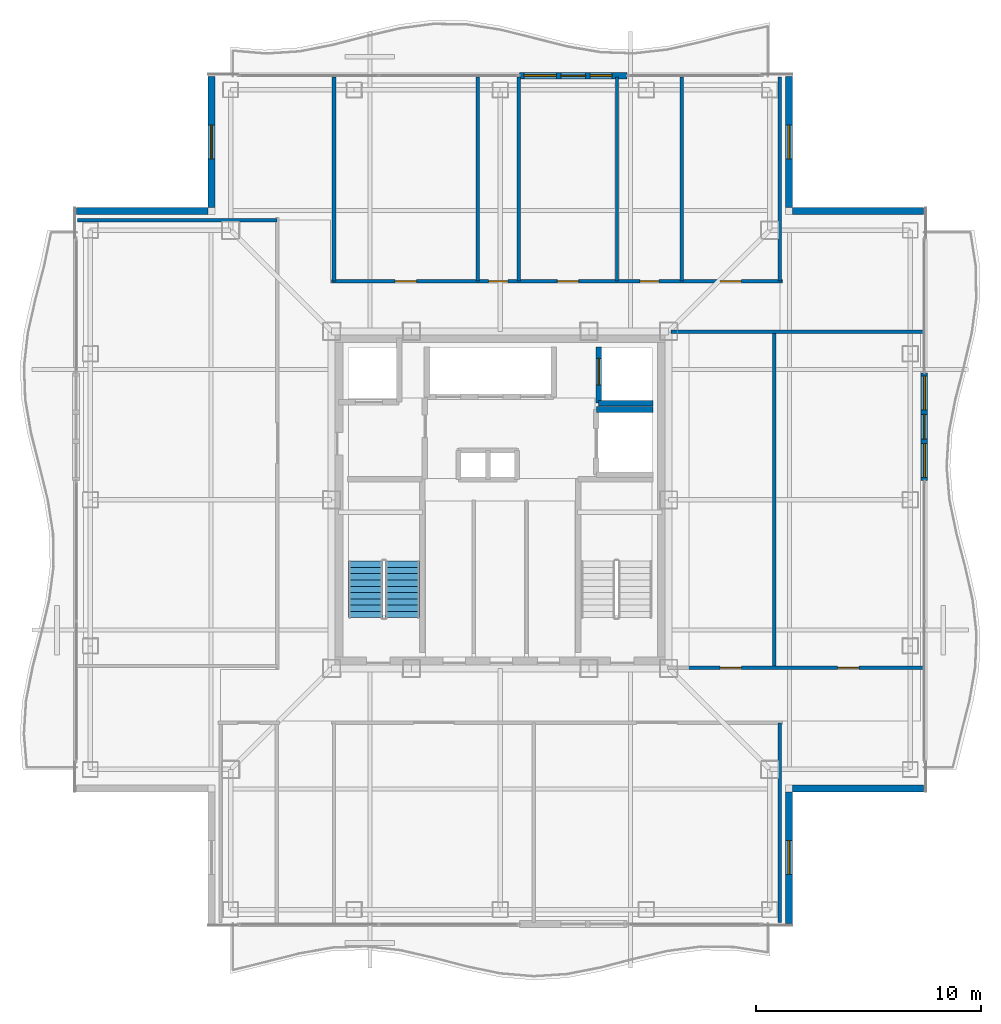
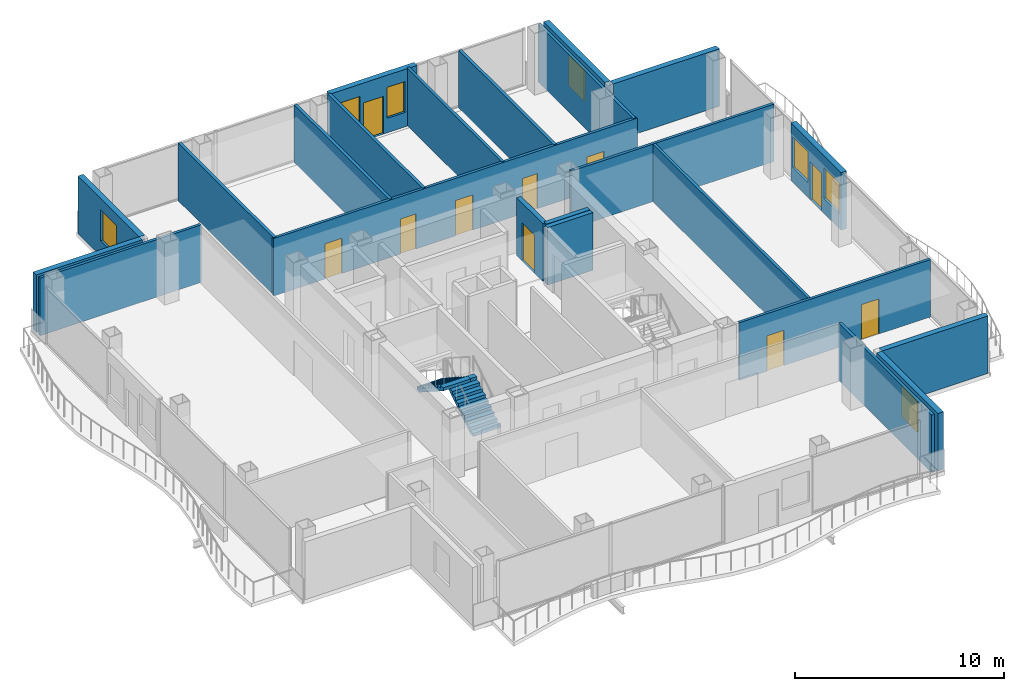
# One storey, part 11 of 17: 23 walls, 10 doors, 7 windows, 2 stair flights, 17 openings, 1 element without a shape of its own.
"""IFC4 building model written with IfcOpenShell, lengths in metres."""

from ifc_helpers import new_model, si_unit, direction, frame, frame_2d, origin, place, context, subcontext, project, spatial, polyline, rectangle, outline, extrude, material, layer, layer_set, type_object, element, fill, aggregate, save


model = new_model("IFC4")

# Units and contexts
model_context = context("Model", 3, precision=1e-05, world=origin(), true_north=direction((0.0, 1.0)))
body_context = subcontext(model_context, "Body", "Model", "MODEL_VIEW")
ifc_project = project(units=[si_unit("LENGTHUNIT", "METRE"), si_unit("AREAUNIT", "SQUARE_METRE"), si_unit("VOLUMEUNIT", "CUBIC_METRE"), si_unit("PLANEANGLEUNIT", "RADIAN"), si_unit("MASSUNIT", "GRAM", prefix="KILO")], contexts=[model_context])

# Site, building, storey
site_placement = place(None, origin())
site = spatial("IfcSite", under=ifc_project, at=site_placement, CompositionType="ELEMENT")
building_placement = place(site_placement, origin())
building = spatial("IfcBuilding", under=site, at=building_placement, Name="Trevonay Congress Spire", CompositionType="ELEMENT")
storey_placement = place(building_placement, frame((0.0, 0.0, 264.800048828125)))
storey = spatial("IfcBuildingStorey", under=building, at=storey_placement, Name="L69", CompositionType="ELEMENT", Elevation=264.800048828125)

# Wall, openings, doors
ifc_material_1 = material(Name="Concrete C40/50", Category="concrete")
ifc_layer_1 = layer(ifc_material_1, 0.14990234375, Name="Concrete C40/50")
ifc_layer_set_1 = layer_set([ifc_layer_1], Name="Concrete C40/50")
wall_type_1 = type_object("IfcWallType", Name="WAL-CORR-150", PredefinedType="PARTITIONING", material=ifc_layer_set_1)
wall_1_placement = place(storey_placement, frame((-7.52001953125, 9.72998046875, 0.0), z_axis=(0.0, 0.0, 1.0), x_axis=(1.0, 0.0, 0.0)))
wall_1 = element("IfcWall", 1, at=wall_1_placement, inside=storey, type_object=wall_type_1, Name="L69 interior wall WP-L69N-COR", PredefinedType="PARTITIONING", context=body_context, shape_type="SweptSolid", body=[
    extrude(rectangle(XDim=20.090087890625, YDim=0.14990234375, at=frame_2d((10.044921875, 0.0))), origin(), (0.0, 0.0, 1.0), 3.35986328125),
])
opening_1_placement = place(wall_1_placement, frame((2.844970703125, 0.0, 0.0)))
opening_1 = element("IfcOpeningElement", 2, at=opening_1_placement, cuts=wall_1, Name="Opening D07", PredefinedType="OPENING", context=body_context, shape_type="SweptSolid", body=[
    extrude(rectangle(XDim=0.949951171875, YDim=2.06005859375, at=frame_2d((0.47509765625, 1.030029296875))), frame((0.0, 0.0849609375, 0.0), z_axis=(0.0, -1.0, 0.0), x_axis=(1.0, 0.0, 0.0)), (0.0, 0.0, 1.0), 0.169921875),
])
opening_2_placement = place(wall_1_placement, frame((7.010009765625, 0.0, 0.0)))
opening_2 = element("IfcOpeningElement", 3, at=opening_2_placement, cuts=wall_1, Name="Opening D10", PredefinedType="OPENING", context=body_context, shape_type="SweptSolid", body=[
    extrude(rectangle(XDim=0.85009765625, YDim=2.050048828125, at=frame_2d((0.425048828125, 1.02490234375))), frame((0.0, 0.0849609375, 0.0), z_axis=(0.0, -1.0, 0.0), x_axis=(1.0, 0.0, 0.0)), (0.0, 0.0, 1.0), 0.169921875),
])
opening_3_placement = place(wall_1_placement, frame((10.06005859375, 0.0, 0.0)))
opening_3 = element("IfcOpeningElement", 4, at=opening_3_placement, cuts=wall_1, Name="Opening D07", PredefinedType="OPENING", context=body_context, shape_type="SweptSolid", body=[
    extrude(rectangle(XDim=0.949951171875, YDim=2.06005859375, at=frame_2d((0.47509765625, 1.030029296875))), frame((0.0, 0.0849609375, 0.0), z_axis=(0.0, -1.0, 0.0), x_axis=(1.0, 0.0, 0.0)), (0.0, 0.0, 1.0), 0.169921875),
])
opening_4_placement = place(wall_1_placement, frame((13.735107421875, 0.0, 0.0)))
opening_4 = element("IfcOpeningElement", 5, at=opening_4_placement, cuts=wall_1, Name="Opening D10", PredefinedType="OPENING", context=body_context, shape_type="SweptSolid", body=[
    extrude(rectangle(XDim=0.85009765625, YDim=2.050048828125, at=frame_2d((0.425048828125, 1.02490234375))), frame((0.0, 0.0849609375, 0.0), z_axis=(0.0, -1.0, 0.0), x_axis=(1.0, 0.0, 0.0)), (0.0, 0.0, 1.0), 0.169921875),
])
opening_5_placement = place(wall_1_placement, frame((17.31005859375, 0.0, 0.0)))
opening_5 = element("IfcOpeningElement", 6, at=opening_5_placement, cuts=wall_1, Name="Opening D07", PredefinedType="OPENING", context=body_context, shape_type="SweptSolid", body=[
    extrude(rectangle(XDim=0.949951171875, YDim=2.06005859375, at=frame_2d((0.47509765625, 1.030029296875))), frame((0.0, 0.0849609375, 0.0), z_axis=(0.0, -1.0, 0.0), x_axis=(1.0, 0.0, 0.0)), (0.0, 0.0, 1.0), 0.169921875),
])
ifc_material_2 = material(Name="Pale Anodised Aluminium EN AW-6063-T6", Category="aluminium")
door_type_1 = type_object("IfcDoorType", Name="DOR-OFFICE-95", OperationType="NOTDEFINED", PredefinedType="DOOR", material=ifc_material_2)
door_1_placement = place(opening_1_placement, origin())
door_1 = element("IfcDoor", 7, at=door_1_placement, inside=storey, type_object=door_type_1, Name="L69 North Sky Conservatory Lounge Door", OperationType="SINGLE_SWING_RIGHT", OverallHeight=2.06005859375, OverallWidth=0.949951171875, PredefinedType="DOOR", context=body_context, shape_type="SweptSolid", body=[
    extrude(rectangle(XDim=0.949951171875, YDim=2.06005859375, at=frame_2d((0.47509765625, 1.030029296875))), frame((0.0, 0.02490234375, 0.0), z_axis=(0.0, -1.0, 0.0), x_axis=(1.0, 0.0, 0.0)), (0.0, 0.0, 1.0), 0.050048828125),
])
fill(opening_1, door_1)
door_2_placement = place(opening_3_placement, origin())
door_2 = element("IfcDoor", 8, at=door_2_placement, inside=storey, type_object=door_type_1, Name="L69 Floor Supplies and Copy Room Door", OperationType="SINGLE_SWING_RIGHT", OverallHeight=2.06005859375, OverallWidth=0.949951171875, PredefinedType="DOOR", context=body_context, shape_type="SweptSolid", body=[
    extrude(rectangle(XDim=0.949951171875, YDim=2.06005859375, at=frame_2d((0.47509765625, 1.030029296875))), frame((0.0, 0.02490234375, 0.0), z_axis=(0.0, -1.0, 0.0), x_axis=(1.0, 0.0, 0.0)), (0.0, 0.0, 1.0), 0.050048828125),
])
fill(opening_3, door_2)
door_3_placement = place(opening_5_placement, origin())
door_3 = element("IfcDoor", 9, at=door_3_placement, inside=storey, type_object=door_type_1, Name="L69 Floor Supplies and Copy Room Door", OperationType="SINGLE_SWING_RIGHT", OverallHeight=2.06005859375, OverallWidth=0.949951171875, PredefinedType="DOOR", context=body_context, shape_type="SweptSolid", body=[
    extrude(rectangle(XDim=0.949951171875, YDim=2.06005859375, at=frame_2d((0.47509765625, 1.030029296875))), frame((0.0, 0.02490234375, 0.0), z_axis=(0.0, -1.0, 0.0), x_axis=(1.0, 0.0, 0.0)), (0.0, 0.0, 1.0), 0.050048828125),
])
fill(opening_5, door_3)
door_type_2 = type_object("IfcDoorType", Name="DOR-WC-85", OperationType="NOTDEFINED", PredefinedType="DOOR", material=ifc_material_2)
door_4_placement = place(opening_2_placement, origin())
door_4 = element("IfcDoor", 10, at=door_4_placement, inside=storey, type_object=door_type_2, Name="L69 Accessible WC Door", OperationType="SINGLE_SWING_LEFT", OverallHeight=2.050048828125, OverallWidth=0.85009765625, PredefinedType="DOOR", context=body_context, shape_type="SweptSolid", body=[
    extrude(rectangle(XDim=0.85009765625, YDim=2.050048828125, at=frame_2d((0.425048828125, 1.02490234375))), frame((0.0, 0.02490234375, 0.0), z_axis=(0.0, -1.0, 0.0), x_axis=(1.0, 0.0, 0.0)), (0.0, 0.0, 1.0), 0.050048828125),
])
fill(opening_2, door_4)
door_5_placement = place(opening_4_placement, origin())
door_5 = element("IfcDoor", 11, at=door_5_placement, inside=storey, type_object=door_type_2, Name="L69 Female Restroom WC Door", OperationType="SINGLE_SWING_LEFT", OverallHeight=2.050048828125, OverallWidth=0.85009765625, PredefinedType="DOOR", context=body_context, shape_type="SweptSolid", body=[
    extrude(rectangle(XDim=0.85009765625, YDim=2.050048828125, at=frame_2d((0.425048828125, 1.02490234375))), frame((0.0, 0.02490234375, 0.0), z_axis=(0.0, -1.0, 0.0), x_axis=(1.0, 0.0, 0.0)), (0.0, 0.0, 1.0), 0.050048828125),
])
fill(opening_4, door_5)

wall_2_placement = place(storey_placement, frame((8.280029296875, -7.47998046875, 0.0), z_axis=(0.0, 0.0, 1.0), x_axis=(1.0, 0.0, 0.0)))
wall_2 = element("IfcWall", 12, at=wall_2_placement, inside=storey, type_object=wall_type_1, Name="L69 interior wall WP-L69E-COR", PredefinedType="PARTITIONING", context=body_context, shape_type="SweptSolid", body=[
    extrude(rectangle(XDim=10.5400390625, YDim=0.14990234375, at=frame_2d((5.27001953125, 0.0))), origin(), (0.0, 0.0, 1.0), 3.35986328125),
])
opening_6_placement = place(wall_2_placement, frame((1.5048828125, 0.0, 0.0)))
opening_6 = element("IfcOpeningElement", 13, at=opening_6_placement, cuts=wall_2, Name="Opening D07", PredefinedType="OPENING", context=body_context, shape_type="SweptSolid", body=[
    extrude(rectangle(XDim=0.949951171875, YDim=2.06005859375, at=frame_2d((0.47509765625, 1.030029296875))), frame((0.0, 0.0849609375, 0.0), z_axis=(0.0, -1.0, 0.0), x_axis=(1.0, 0.0, 0.0)), (0.0, 0.0, 1.0), 0.169921875),
])
opening_7_placement = place(wall_2_placement, frame((6.735107421875, 0.0, 0.0)))
opening_7 = element("IfcOpeningElement", 14, at=opening_7_placement, cuts=wall_2, Name="Opening D07", PredefinedType="OPENING", context=body_context, shape_type="SweptSolid", body=[
    extrude(rectangle(XDim=0.949951171875, YDim=2.06005859375, at=frame_2d((0.47509765625, 1.030029296875))), frame((0.0, 0.0849609375, 0.0), z_axis=(0.0, -1.0, 0.0), x_axis=(1.0, 0.0, 0.0)), (0.0, 0.0, 1.0), 0.169921875),
])
door_6_placement = place(opening_6_placement, origin())
door_6 = element("IfcDoor", 15, at=door_6_placement, inside=storey, type_object=door_type_1, Name="L69 Executive Study Office Door", OperationType="SINGLE_SWING_LEFT", OverallHeight=2.06005859375, OverallWidth=0.949951171875, PredefinedType="DOOR", context=body_context, shape_type="SweptSolid", body=[
    extrude(rectangle(XDim=0.949951171875, YDim=2.06005859375, at=frame_2d((0.47509765625, 1.030029296875))), frame((0.0, 0.02490234375, 0.0), z_axis=(0.0, -1.0, 0.0), x_axis=(1.0, 0.0, 0.0)), (0.0, 0.0, 1.0), 0.050048828125),
])
fill(opening_6, door_6)
door_7_placement = place(opening_7_placement, origin())
door_7 = element("IfcDoor", 16, at=door_7_placement, inside=storey, type_object=door_type_1, Name="L69 Catering Pantry Door", OperationType="SINGLE_SWING_RIGHT", OverallHeight=2.06005859375, OverallWidth=0.949951171875, PredefinedType="DOOR", context=body_context, shape_type="SweptSolid", body=[
    extrude(rectangle(XDim=0.949951171875, YDim=2.06005859375, at=frame_2d((0.47509765625, 1.030029296875))), frame((0.0, 0.02490234375, 0.0), z_axis=(0.0, -1.0, 0.0), x_axis=(1.0, 0.0, 0.0)), (0.0, 0.0, 1.0), 0.050048828125),
])
fill(opening_7, door_7)

# Wall, openings, door, windows
ifc_material_3 = material(Name="Precast concrete C40/50", Category="concrete")
ifc_layer_2 = layer(ifc_material_3, 0.300048828125, Name="Precast concrete C40/50")
ifc_layer_set_2 = layer_set([ifc_layer_2], Name="Precast concrete C40/50")
wall_type_2 = type_object("IfcWallType", Name="WAL-EXT-PRECAST-300", PredefinedType="SOLIDWALL", material=ifc_layer_set_2)
wall_3_placement = place(storey_placement, frame((0.85009765625, 18.8798828125, 0.0), z_axis=(0.0, 0.0, 1.0), x_axis=(1.0, 0.0, 0.0)))
wall_3 = element("IfcWall", 17, at=wall_3_placement, inside=storey, type_object=wall_type_2, Name="L69 N glazed balcony portal exterior wall", PredefinedType="SOLIDWALL", context=body_context, shape_type="SweptSolid", body=[
    extrude(rectangle(XDim=4.7998046875, YDim=0.300048828125, at=frame_2d((2.39990234375, 0.0))), origin(), (0.0, 0.0, 1.0), 3.35986328125),
])
opening_8_placement = place(wall_3_placement, frame((1.85009765625, 0.0, 0.0)))
opening_8 = element("IfcOpeningElement", 18, at=opening_8_placement, cuts=wall_3, Name="Opening D03", PredefinedType="OPENING", context=body_context, shape_type="SweptSolid", body=[
    extrude(rectangle(XDim=1.10009765625, YDim=2.199951171875, at=frame_2d((0.550048828125, 1.10009765625))), frame((0.0, 0.16015625, 0.0), z_axis=(0.0, -1.0, 0.0), x_axis=(1.0, 0.0, 0.0)), (0.0, 0.0, 1.0), 0.320068359375),
])
opening_9_placement = place(wall_3_placement, frame((0.199951171875, 0.0, 0.85009765625)))
opening_9 = element("IfcOpeningElement", 19, at=opening_9_placement, cuts=wall_3, Name="Opening WN11", PredefinedType="OPENING", context=body_context, shape_type="SweptSolid", body=[
    extrude(rectangle(XDim=1.449951171875, YDim=1.800048828125, at=frame_2d((0.72509765625, 0.89990234375))), frame((0.0, 0.16015625, 0.0), z_axis=(0.0, -1.0, 0.0), x_axis=(1.0, 0.0, 0.0)), (0.0, 0.0, 1.0), 0.320068359375),
])
opening_10_placement = place(wall_3_placement, frame((3.14990234375, 0.0, 0.85009765625)))
opening_10 = element("IfcOpeningElement", 20, at=opening_10_placement, cuts=wall_3, Name="Opening WN12", PredefinedType="OPENING", context=body_context, shape_type="SweptSolid", body=[
    extrude(rectangle(XDim=0.97998046875, YDim=1.800048828125, at=frame_2d((0.489990234375, 0.89990234375))), frame((0.0, 0.16015625, 0.0), z_axis=(0.0, -1.0, 0.0), x_axis=(1.0, 0.0, 0.0)), (0.0, 0.0, 1.0), 0.320068359375),
])
door_type_3 = type_object("IfcDoorType", Name="DOR-EXT-BAL-110", OperationType="NOTDEFINED", PredefinedType="DOOR", material=ifc_material_2)
door_8_placement = place(opening_8_placement, origin())
door_8 = element("IfcDoor", 21, at=door_8_placement, inside=storey, type_object=door_type_3, Name="L69 N glazed outdoor terrace and balcony door", OperationType="SINGLE_SWING_RIGHT", OverallHeight=2.199951171875, OverallWidth=1.10009765625, PredefinedType="DOOR", context=body_context, shape_type="SweptSolid", body=[
    extrude(rectangle(XDim=1.10009765625, YDim=2.199951171875, at=frame_2d((0.550048828125, 1.10009765625))), frame((0.0, 0.02490234375, 0.0), z_axis=(0.0, -1.0, 0.0), x_axis=(1.0, 0.0, 0.0)), (0.0, 0.0, 1.0), 0.050048828125),
])
fill(opening_8, door_8)
ifc_material_4 = material(Name="Insulated Low-E Vision Glass IGU", Category="glass")
window_type_1 = type_object("IfcWindowType", Name="WIN-SIDELIGHT-145X180", PartitioningType="SINGLE_PANEL", PredefinedType="WINDOW", material=ifc_material_4)
window_1_placement = place(opening_9_placement, origin())
window_1 = element("IfcWindow", 22, at=window_1_placement, inside=storey, type_object=window_type_1, Name="L69 N balcony sidelight window L", OverallHeight=1.800048828125, OverallWidth=1.449951171875, PartitioningType="SINGLE_PANEL", PredefinedType="WINDOW", context=body_context, shape_type="SweptSolid", body=[
    extrude(rectangle(XDim=1.449951171875, YDim=1.800048828125, at=frame_2d((0.72509765625, 0.89990234375))), frame((0.0, 0.030029296875, 0.0), z_axis=(0.0, -1.0, 0.0), x_axis=(1.0, 0.0, 0.0)), (0.0, 0.0, 1.0), 0.06005859375),
])
fill(opening_9, window_1)
window_type_2 = type_object("IfcWindowType", Name="WIN-SIDELIGHT-98X180", PartitioningType="SINGLE_PANEL", PredefinedType="WINDOW", material=ifc_material_4)
window_2_placement = place(opening_10_placement, origin())
window_2 = element("IfcWindow", 23, at=window_2_placement, inside=storey, type_object=window_type_2, Name="L69 N balcony sidelight window R", OverallHeight=1.800048828125, OverallWidth=0.97998046875, PartitioningType="SINGLE_PANEL", PredefinedType="WINDOW", context=body_context, shape_type="SweptSolid", body=[
    extrude(rectangle(XDim=0.97998046875, YDim=1.800048828125, at=frame_2d((0.489990234375, 0.89990234375))), frame((0.0, 0.030029296875, 0.0), z_axis=(0.0, -1.0, 0.0), x_axis=(1.0, 0.0, 0.0)), (0.0, 0.0, 1.0), 0.06005859375),
])
fill(opening_10, window_2)

wall_4_placement = place(storey_placement, frame((18.8798828125, 0.85009765625, 0.0), z_axis=(0.0, 0.0, 1.0), x_axis=(0.0, 1.0, 0.0)))
wall_4 = element("IfcWall", 24, at=wall_4_placement, inside=storey, type_object=wall_type_2, Name="L69 E glazed balcony portal exterior wall", PredefinedType="SOLIDWALL", context=body_context, shape_type="SweptSolid", body=[
    extrude(rectangle(XDim=4.7998046875, YDim=0.300048828125, at=frame_2d((2.39990234375, 0.0))), origin(), (0.0, 0.0, 1.0), 3.35986328125),
])
opening_11_placement = place(wall_4_placement, frame((1.85009765625, 0.0, 0.0)))
opening_11 = element("IfcOpeningElement", 25, at=opening_11_placement, cuts=wall_4, Name="Opening D03", PredefinedType="OPENING", context=body_context, shape_type="SweptSolid", body=[
    extrude(rectangle(XDim=1.10009765625, YDim=2.199951171875, at=frame_2d((0.550048828125, 1.10009765625))), frame((0.0, 0.16015625, 0.0), z_axis=(0.0, -1.0, 0.0), x_axis=(1.0, 0.0, 0.0)), (0.0, 0.0, 1.0), 0.320068359375),
])
opening_12_placement = place(wall_4_placement, frame((0.14990234375, 0.0, 0.85009765625)))
opening_12 = element("IfcOpeningElement", 26, at=opening_12_placement, cuts=wall_4, Name="Opening WN03", PredefinedType="OPENING", context=body_context, shape_type="SweptSolid", body=[
    extrude(rectangle(XDim=1.5, YDim=1.800048828125, at=frame_2d((0.75, 0.89990234375))), frame((0.0, 0.16015625, 0.0), z_axis=(0.0, -1.0, 0.0), x_axis=(1.0, 0.0, 0.0)), (0.0, 0.0, 1.0), 0.320068359375),
])
opening_13_placement = place(wall_4_placement, frame((3.14990234375, 0.0, 0.85009765625)))
opening_13 = element("IfcOpeningElement", 27, at=opening_13_placement, cuts=wall_4, Name="Opening WN03", PredefinedType="OPENING", context=body_context, shape_type="SweptSolid", body=[
    extrude(rectangle(XDim=1.5, YDim=1.800048828125, at=frame_2d((0.75, 0.89990234375))), frame((0.0, 0.16015625, 0.0), z_axis=(0.0, -1.0, 0.0), x_axis=(1.0, 0.0, 0.0)), (0.0, 0.0, 1.0), 0.320068359375),
])
door_9_placement = place(opening_11_placement, origin())
door_9 = element("IfcDoor", 28, at=door_9_placement, inside=storey, type_object=door_type_3, Name="L69 E glazed outdoor terrace and balcony door", OperationType="SINGLE_SWING_RIGHT", OverallHeight=2.199951171875, OverallWidth=1.10009765625, PredefinedType="DOOR", context=body_context, shape_type="SweptSolid", body=[
    extrude(rectangle(XDim=1.10009765625, YDim=2.199951171875, at=frame_2d((0.550048828125, 1.10009765625))), frame((0.0, 0.02490234375, 0.0), z_axis=(0.0, -1.0, 0.0), x_axis=(1.0, 0.0, 0.0)), (0.0, 0.0, 1.0), 0.050048828125),
])
fill(opening_11, door_9)
window_type_3 = type_object("IfcWindowType", Name="WIN-NOTCH-150X180", PartitioningType="SINGLE_PANEL", PredefinedType="WINDOW", material=ifc_material_4)
window_3_placement = place(opening_12_placement, origin())
window_3 = element("IfcWindow", 29, at=window_3_placement, inside=storey, type_object=window_type_3, Name="L69 E balcony sidelight window L", OverallHeight=1.800048828125, OverallWidth=1.5, PartitioningType="SINGLE_PANEL", PredefinedType="WINDOW", context=body_context, shape_type="SweptSolid", body=[
    extrude(rectangle(XDim=1.5, YDim=1.800048828125, at=frame_2d((0.75, 0.89990234375))), frame((0.0, 0.030029296875, 0.0), z_axis=(0.0, -1.0, 0.0), x_axis=(1.0, 0.0, 0.0)), (0.0, 0.0, 1.0), 0.06005859375),
])
fill(opening_12, window_3)
window_4_placement = place(opening_13_placement, origin())
window_4 = element("IfcWindow", 30, at=window_4_placement, inside=storey, type_object=window_type_3, Name="L69 E balcony sidelight window R", OverallHeight=1.800048828125, OverallWidth=1.5, PartitioningType="SINGLE_PANEL", PredefinedType="WINDOW", context=body_context, shape_type="SweptSolid", body=[
    extrude(rectangle(XDim=1.5, YDim=1.800048828125, at=frame_2d((0.75, 0.89990234375))), frame((0.0, 0.030029296875, 0.0), z_axis=(0.0, -1.0, 0.0), x_axis=(1.0, 0.0, 0.0)), (0.0, 0.0, 1.0), 0.06005859375),
])
fill(opening_13, window_4)

# Wall, opening, window
wall_5_placement = place(storey_placement, frame((12.85009765625, -18.85009765625, 0.0), z_axis=(0.0, 0.0, 1.0), x_axis=(0.0, 1.0, 0.0)))
wall_5 = element("IfcWall", 31, at=wall_5_placement, inside=storey, type_object=wall_type_2, Name="L69 SE re-entrant notch exterior wall 1", PredefinedType="SOLIDWALL", context=body_context, shape_type="SweptSolid", body=[
    extrude(rectangle(XDim=5.85009765625, YDim=0.300048828125, at=frame_2d((2.925048828125, 0.0))), origin(), (0.0, 0.0, 1.0), 3.35986328125),
])
opening_14_placement = place(wall_5_placement, frame((2.175048828125, 0.0, 0.89990234375)))
opening_14 = element("IfcOpeningElement", 32, at=opening_14_placement, cuts=wall_5, Name="Opening WN03", PredefinedType="OPENING", context=body_context, shape_type="SweptSolid", body=[
    extrude(rectangle(XDim=1.5, YDim=1.800048828125, at=frame_2d((0.75, 0.89990234375))), frame((0.0, 0.16015625, 0.0), z_axis=(0.0, -1.0, 0.0), x_axis=(1.0, 0.0, 0.0)), (0.0, 0.0, 1.0), 0.320068359375),
])
window_5_placement = place(opening_14_placement, origin())
window_5 = element("IfcWindow", 33, at=window_5_placement, inside=storey, type_object=window_type_3, Name="L69 SE corner notch window", OverallHeight=1.800048828125, OverallWidth=1.5, PartitioningType="SINGLE_PANEL", PredefinedType="WINDOW", context=body_context, shape_type="SweptSolid", body=[
    extrude(rectangle(XDim=1.5, YDim=1.800048828125, at=frame_2d((0.75, 0.89990234375))), frame((0.0, 0.030029296875, 0.0), z_axis=(0.0, -1.0, 0.0), x_axis=(1.0, 0.0, 0.0)), (0.0, 0.0, 1.0), 0.06005859375),
])
fill(opening_14, window_5)

# Wall
wall_6_placement = place(storey_placement, frame((18.85009765625, -12.85009765625, 0.0), z_axis=(0.0, 0.0, 1.0), x_axis=(-1.0, 0.0, 0.0)))
element("IfcWall", 34, at=wall_6_placement, inside=storey, type_object=wall_type_2, Name="L69 SE re-entrant notch exterior wall 2", PredefinedType="SOLIDWALL", context=body_context, shape_type="SweptSolid", body=[
    extrude(rectangle(XDim=5.85009765625, YDim=0.300048828125, at=frame_2d((2.925048828125, 0.0))), origin(), (0.0, 0.0, 1.0), 3.35986328125),
])

# Wall, opening, window
wall_7_placement = place(storey_placement, frame((12.85009765625, 18.85009765625, 0.0), z_axis=(0.0, 0.0, 1.0), x_axis=(0.0, -1.0, 0.0)))
wall_7 = element("IfcWall", 35, at=wall_7_placement, inside=storey, type_object=wall_type_2, Name="L69 NE re-entrant notch exterior wall 1", PredefinedType="SOLIDWALL", context=body_context, shape_type="SweptSolid", body=[
    extrude(rectangle(XDim=5.85009765625, YDim=0.300048828125, at=frame_2d((2.925048828125, 0.0))), origin(), (0.0, 0.0, 1.0), 3.35986328125),
])
opening_15_placement = place(wall_7_placement, frame((2.175048828125, 0.0, 0.89990234375)))
opening_15 = element("IfcOpeningElement", 36, at=opening_15_placement, cuts=wall_7, Name="Opening WN03", PredefinedType="OPENING", context=body_context, shape_type="SweptSolid", body=[
    extrude(rectangle(XDim=1.5, YDim=1.800048828125, at=frame_2d((0.75, 0.89990234375))), frame((0.0, 0.16015625, 0.0), z_axis=(0.0, -1.0, 0.0), x_axis=(1.0, 0.0, 0.0)), (0.0, 0.0, 1.0), 0.320068359375),
])
window_6_placement = place(opening_15_placement, origin())
window_6 = element("IfcWindow", 37, at=window_6_placement, inside=storey, type_object=window_type_3, Name="L69 NE corner notch window", OverallHeight=1.800048828125, OverallWidth=1.5, PartitioningType="SINGLE_PANEL", PredefinedType="WINDOW", context=body_context, shape_type="SweptSolid", body=[
    extrude(rectangle(XDim=1.5, YDim=1.800048828125, at=frame_2d((0.75, 0.89990234375))), frame((0.0, 0.030029296875, 0.0), z_axis=(0.0, -1.0, 0.0), x_axis=(1.0, 0.0, 0.0)), (0.0, 0.0, 1.0), 0.06005859375),
])
fill(opening_15, window_6)

# Wall
wall_8_placement = place(storey_placement, frame((18.85009765625, 12.85009765625, 0.0), z_axis=(0.0, 0.0, 1.0), x_axis=(-1.0, 0.0, 0.0)))
element("IfcWall", 38, at=wall_8_placement, inside=storey, type_object=wall_type_2, Name="L69 NE re-entrant notch exterior wall 2", PredefinedType="SOLIDWALL", context=body_context, shape_type="SweptSolid", body=[
    extrude(rectangle(XDim=5.85009765625, YDim=0.300048828125, at=frame_2d((2.925048828125, 0.0))), origin(), (0.0, 0.0, 1.0), 3.35986328125),
])

# Wall, opening, window
wall_9_placement = place(storey_placement, frame((-12.85009765625, 18.85009765625, 0.0), z_axis=(0.0, 0.0, 1.0), x_axis=(0.0, -1.0, 0.0)))
wall_9 = element("IfcWall", 39, at=wall_9_placement, inside=storey, type_object=wall_type_2, Name="L69 NW re-entrant notch exterior wall 1", PredefinedType="SOLIDWALL", context=body_context, shape_type="SweptSolid", body=[
    extrude(rectangle(XDim=5.85009765625, YDim=0.300048828125, at=frame_2d((2.925048828125, 0.0))), origin(), (0.0, 0.0, 1.0), 3.35986328125),
])
opening_16_placement = place(wall_9_placement, frame((2.175048828125, 0.0, 0.89990234375)))
opening_16 = element("IfcOpeningElement", 40, at=opening_16_placement, cuts=wall_9, Name="Opening WN03", PredefinedType="OPENING", context=body_context, shape_type="SweptSolid", body=[
    extrude(rectangle(XDim=1.5, YDim=1.800048828125, at=frame_2d((0.75, 0.89990234375))), frame((0.0, 0.16015625, 0.0), z_axis=(0.0, -1.0, 0.0), x_axis=(1.0, 0.0, 0.0)), (0.0, 0.0, 1.0), 0.320068359375),
])
window_7_placement = place(opening_16_placement, origin())
window_7 = element("IfcWindow", 41, at=window_7_placement, inside=storey, type_object=window_type_3, Name="L69 NW corner notch window", OverallHeight=1.800048828125, OverallWidth=1.5, PartitioningType="SINGLE_PANEL", PredefinedType="WINDOW", context=body_context, shape_type="SweptSolid", body=[
    extrude(rectangle(XDim=1.5, YDim=1.800048828125, at=frame_2d((0.75, 0.89990234375))), frame((0.0, 0.030029296875, 0.0), z_axis=(0.0, -1.0, 0.0), x_axis=(1.0, 0.0, 0.0)), (0.0, 0.0, 1.0), 0.06005859375),
])
fill(opening_16, window_7)

# Walls
wall_10_placement = place(storey_placement, frame((-18.85009765625, 12.85009765625, 0.0), z_axis=(0.0, 0.0, 1.0), x_axis=(1.0, 0.0, 0.0)))
element("IfcWall", 42, at=wall_10_placement, inside=storey, type_object=wall_type_2, Name="L69 NW re-entrant notch exterior wall 2", PredefinedType="SOLIDWALL", context=body_context, shape_type="SweptSolid", body=[
    extrude(rectangle(XDim=5.85009765625, YDim=0.300048828125, at=frame_2d((2.925048828125, 0.0))), origin(), (0.0, 0.0, 1.0), 3.35986328125),
])
ifc_layer_3 = layer(ifc_material_1, 0.14990234375, Name="Concrete C40/50")
ifc_layer_set_3 = layer_set([ifc_layer_3], Name="Concrete C40/50")
wall_type_3 = type_object("IfcWallType", Name="WAL-PART-150", PredefinedType="PARTITIONING", material=ifc_layer_set_3)
for number, where, z_axis, x_axis, name in (
    (43, (12.449951171875, -18.820068359375, 0.0), (0.0, 0.0, 1.0), (0.0, 1.0, 0.0), "L69 interior wall WP-L69SE-DIV3"),
    (44, (-18.820068359375, 12.449951171875, 0.0), (0.0, 0.0, 1.0), (1.0, 0.0, 0.0), "L69 interior wall WP-L69NW-DIV2"),
):
    element("IfcWall", number, at=place(storey_placement, frame(where, z_axis=z_axis, x_axis=x_axis)), inside=storey, type_object=wall_type_3, Name=name, PredefinedType="PARTITIONING", context=body_context, shape_type="SweptSolid", body=[
        extrude(rectangle(XDim=8.89013671875, YDim=0.14990234375, at=frame_2d((4.445068359375, 0.0))), origin(), (0.0, 0.0, 1.0), 3.35986328125),
    ])
for number, where, z_axis, x_axis, name in (
    (45, (5.199951171875, 9.72998046875, 0.0), (0.0, 0.0, 1.0), (0.0, 1.0, 0.0), "L69 interior wall WP-L69N-DIV3"),
    (46, (12.449951171875, 9.72998046875, 0.0), (0.0, 0.0, 1.0), (0.0, 1.0, 0.0), "L69 interior wall WP-L69N-DIV4"),
):
    element("IfcWall", number, at=place(storey_placement, frame(where, z_axis=z_axis, x_axis=x_axis)), inside=storey, type_object=wall_type_3, Name=name, PredefinedType="PARTITIONING", context=body_context, shape_type="SweptSolid", body=[
        extrude(rectangle(XDim=9.090087890625, YDim=0.14990234375, at=frame_2d((4.544921875, 0.0))), origin(), (0.0, 0.0, 1.0), 3.35986328125),
    ])
wall_11_placement = place(storey_placement, frame((12.199951171875, -7.47998046875, 0.0), z_axis=(0.0, 0.0, 1.0), x_axis=(0.0, 1.0, 0.0)))
element("IfcWall", 47, at=wall_11_placement, inside=storey, type_object=wall_type_3, Name="L69 interior wall WP-L69E-DIV1", PredefinedType="PARTITIONING", context=body_context, shape_type="SweptSolid", body=[
    extrude(rectangle(XDim=14.89990234375, YDim=0.14990234375, at=frame_2d((7.449951171875, 0.0))), origin(), (0.0, 0.0, 1.0), 3.35986328125),
])
wall_12_placement = place(storey_placement, frame((7.60009765625, 7.47998046875, 0.0), z_axis=(0.0, 0.0, 1.0), x_axis=(1.0, 0.0, 0.0)))
element("IfcWall", 48, at=wall_12_placement, inside=storey, type_object=wall_type_3, Name="L69 interior wall WP-L69E-NCLS", PredefinedType="PARTITIONING", context=body_context, shape_type="SweptSolid", body=[
    extrude(rectangle(XDim=11.219970703125, YDim=0.14990234375, at=frame_2d((5.60986328125, 0.0))), origin(), (0.0, 0.0, 1.0), 3.35986328125),
])
ifc_layer_4 = layer(ifc_material_1, 0.25, Name="Concrete C40/50")
ifc_layer_set_4 = layer_set([ifc_layer_4], Name="Concrete C40/50")
wall_type_4 = type_object("IfcWallType", Name="WAL-SHAFT-250", PredefinedType="SHEAR", material=ifc_layer_set_4)
wall_13_placement = place(storey_placement, frame((4.3798828125, 4.300048828125, 0.0), z_axis=(0.0, 0.0, 1.0), x_axis=(1.0, 0.0, 0.0)))
element("IfcWall", 49, at=wall_13_placement, inside=storey, type_object=wall_type_4, Name="L69 interior shaft wall WSH-L69-FF2-S", PredefinedType="SHEAR", context=body_context, shape_type="SweptSolid", body=[
    extrude(rectangle(XDim=2.420166015625, YDim=0.25, at=frame_2d((1.2099609375, 0.0))), origin(), (0.0, 0.0, 1.0), 3.35986328125),
])

# Wall, opening, door
wall_14_placement = place(storey_placement, frame((4.3798828125, 4.300048828125, 0.0), z_axis=(0.0, 0.0, 1.0), x_axis=(0.0, 1.0, 0.0)))
wall_14 = element("IfcWall", 50, at=wall_14_placement, inside=storey, type_object=wall_type_4, Name="L69 interior shaft wall WSH-L69-FF2-W", PredefinedType="SHEAR", context=body_context, shape_type="SweptSolid", body=[
    extrude(rectangle(XDim=2.5, YDim=0.25, at=frame_2d((1.25, 0.0))), origin(), (0.0, 0.0, 1.0), 3.35986328125),
])
opening_17_placement = place(wall_14_placement, frame((0.800048828125, 0.0, 0.0)))
opening_17 = element("IfcOpeningElement", 51, at=opening_17_placement, cuts=wall_14, Name="Opening LD04", PredefinedType="OPENING", context=body_context, shape_type="SweptSolid", body=[
    extrude(rectangle(XDim=1.199951171875, YDim=2.199951171875, at=frame_2d((0.60009765625, 1.10009765625))), frame((0.0, 0.135009765625, 0.0), z_axis=(0.0, -1.0, 0.0), x_axis=(1.0, 0.0, 0.0)), (0.0, 0.0, 1.0), 0.27001953125),
])
ifc_material_5 = material(Name="Steel ASTM A572 Grade 50", Category="steel")
door_type_4 = type_object("IfcDoorType", Name="DOR-LIFT-LD04", OperationType="DOUBLE_DOOR_SLIDING", PredefinedType="DOOR", material=ifc_material_5)
door_10_placement = place(opening_17_placement, origin())
door_10 = element("IfcDoor", 52, at=door_10_placement, inside=storey, type_object=door_type_4, Name="L69 Firefighting lift FFL-02 landing door", OperationType="DOUBLE_DOOR_SLIDING", OverallHeight=2.199951171875, OverallWidth=1.199951171875, PredefinedType="DOOR", context=body_context, shape_type="SweptSolid", body=[
    extrude(rectangle(XDim=1.199951171875, YDim=2.199951171875, at=frame_2d((0.60009765625, 1.10009765625))), frame((0.0, 0.02490234375, 0.0), z_axis=(0.0, -1.0, 0.0), x_axis=(1.0, 0.0, 0.0)), (0.0, 0.0, 1.0), 0.050048828125),
])
fill(opening_17, door_10)

# Walls
wall_15_placement = place(storey_placement, frame((4.280029296875, 4.02001953125, 0.0), z_axis=(0.0, 0.0, 1.0), x_axis=(1.0, 0.0, 0.0)))
element("IfcWall", 53, at=wall_15_placement, inside=storey, type_object=wall_type_4, Name="L69 interior shaft wall WSH-L69-SV-N", PredefinedType="SHEAR", context=body_context, shape_type="SweptSolid", body=[
    extrude(rectangle(XDim=2.52001953125, YDim=0.25, at=frame_2d((1.260009765625, 0.0))), origin(), (0.0, 0.0, 1.0), 3.35986328125),
])
ifc_layer_5 = layer(ifc_material_1, 0.1650390625, Name="Concrete C40/50")
ifc_layer_set_5 = layer_set([ifc_layer_5], Name="Concrete C40/50")
wall_type_5 = type_object("IfcWallType", Name="WAL-WET-165", PredefinedType="PLUMBINGWALL", material=ifc_layer_set_5)
for number, where, z_axis, x_axis, name in (
    (54, (0.830078125, 9.72998046875, 0.0), (0.0, 0.0, 1.0), (0.0, 1.0, 0.0), "L69 interior wall WP-L69N-WCS2"),
    (55, (8.080078125, 9.72998046875, 0.0), (0.0, 0.0, 1.0), (0.0, 1.0, 0.0), "L69 interior wall WP-L69N-WCS3"),
    (56, (-7.39990234375, 9.72998046875, 0.0), (0.0, 0.0, 1.0), (0.0, 1.0, 0.0), "L69 interior wall WP-L69N-DIV1"),
    (57, (-1.0, 9.72998046875, 0.0), (0.0, 0.0, 1.0), (0.0, 1.0, 0.0), "L69 interior wall WP-L69N-DIV2"),
):
    element("IfcWall", number, at=place(storey_placement, frame(where, z_axis=z_axis, x_axis=x_axis)), inside=storey, type_object=wall_type_5, Name=name, PredefinedType="PLUMBINGWALL", context=body_context, shape_type="SweptSolid", body=[
        extrude(rectangle(XDim=9.090087890625, YDim=0.1650390625, at=frame_2d((4.544921875, 0.0))), origin(), (0.0, 0.0, 1.0), 3.35986328125),
    ])

# Stair, stair flights
stair_type = type_object("IfcStairType", Name="STR-ST-1", PredefinedType="HALF_TURN_STAIR", material=ifc_material_1)
stair_placement = place(storey_placement, origin())
stair = element("IfcStair", 58, at=stair_placement, inside=storey, type_object=stair_type, Name="L69 Protected Exit Stair ST-1", PredefinedType="HALF_TURN_STAIR")
stair_flight_type = type_object("IfcStairFlightType", Name="SFL-ST-1", PredefinedType="STRAIGHT", material=ifc_material_1)
stair_flight_1_placement = place(storey_placement, frame((-4.35009765625, -5.25, 0.0), z_axis=(0.0, 0.0, 1.0), x_axis=(0.0, 1.0, 0.0)))
stair_flight_1 = element("IfcStairFlight", 59, at=stair_flight_1_placement, type_object=stair_flight_type, Name="ST-1 flight 1", NumberOfRisers=10, NumberOfTreads=9, PredefinedType="STRAIGHT", RiserHeight=0.18, TreadLength=0.28, context=body_context, shape_type="SweptSolid", body=[
    extrude(outline(polyline([(0.0, 0.0), (0.0, 0.179931640625), (0.280029296875, 0.179931640625), (0.280029296875, 0.360107421875), (0.56005859375, 0.360107421875), (0.56005859375, 0.5400390625), (0.840087890625, 0.5400390625), (0.840087890625, 0.719970703125), (1.1201171875, 0.719970703125), (1.1201171875, 0.89990234375), (1.39990234375, 0.89990234375), (1.39990234375, 1.080078125), (1.679931640625, 1.080078125), (1.679931640625, 1.260009765625), (1.9599609375, 1.260009765625), (1.9599609375, 1.43994140625), (2.239990234375, 1.43994140625), (2.239990234375, 1.6201171875), (2.52001953125, 1.6201171875), (2.52001953125, 1.800048828125), (2.52001953125, 1.44189453125), (0.277099609375, 0.0), (0.0, 0.0)])), frame((0.0, 0.75, 0.0), z_axis=(0.0, -1.0, 0.0), x_axis=(1.0, 0.0, 0.0)), (0.0, 0.0, 1.0), 1.5),
])
stair_flight_2_placement = place(storey_placement, frame((-6.0, -2.72998046875, 1.800048828125), z_axis=(0.0, 0.0, 1.0), x_axis=(0.0, -1.0, 0.0)))
stair_flight_2 = element("IfcStairFlight", 60, at=stair_flight_2_placement, type_object=stair_flight_type, Name="ST-1 flight 2", NumberOfRisers=10, NumberOfTreads=9, PredefinedType="STRAIGHT", RiserHeight=0.18, TreadLength=0.28, context=body_context, shape_type="SweptSolid", body=[
    extrude(outline(polyline([(0.0, 0.0), (0.0, 0.179931640625), (0.280029296875, 0.179931640625), (0.280029296875, 0.360107421875), (0.56005859375, 0.360107421875), (0.56005859375, 0.5400390625), (0.840087890625, 0.5400390625), (0.840087890625, 0.719970703125), (1.1201171875, 0.719970703125), (1.1201171875, 0.89990234375), (1.39990234375, 0.89990234375), (1.39990234375, 1.080078125), (1.679931640625, 1.080078125), (1.679931640625, 1.260009765625), (1.9599609375, 1.260009765625), (1.9599609375, 1.43994140625), (2.239990234375, 1.43994140625), (2.239990234375, 1.6201171875), (2.52001953125, 1.6201171875), (2.52001953125, 1.800048828125), (2.52001953125, 1.44189453125), (0.277099609375, 0.0), (0.0, 0.0)])), frame((0.0, 0.75, 0.0), z_axis=(0.0, -1.0, 0.0), x_axis=(1.0, 0.0, 0.0)), (0.0, 0.0, 1.0), 1.5),
])
aggregate(stair, [stair_flight_1, stair_flight_2])

save(model, "model.ifc")
